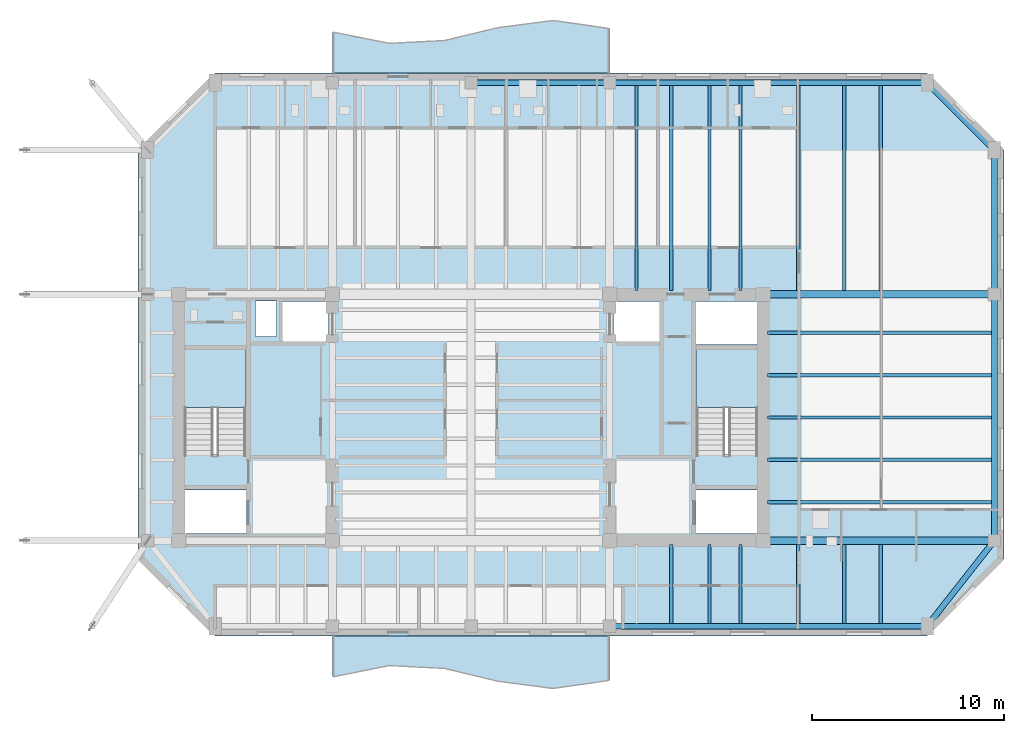
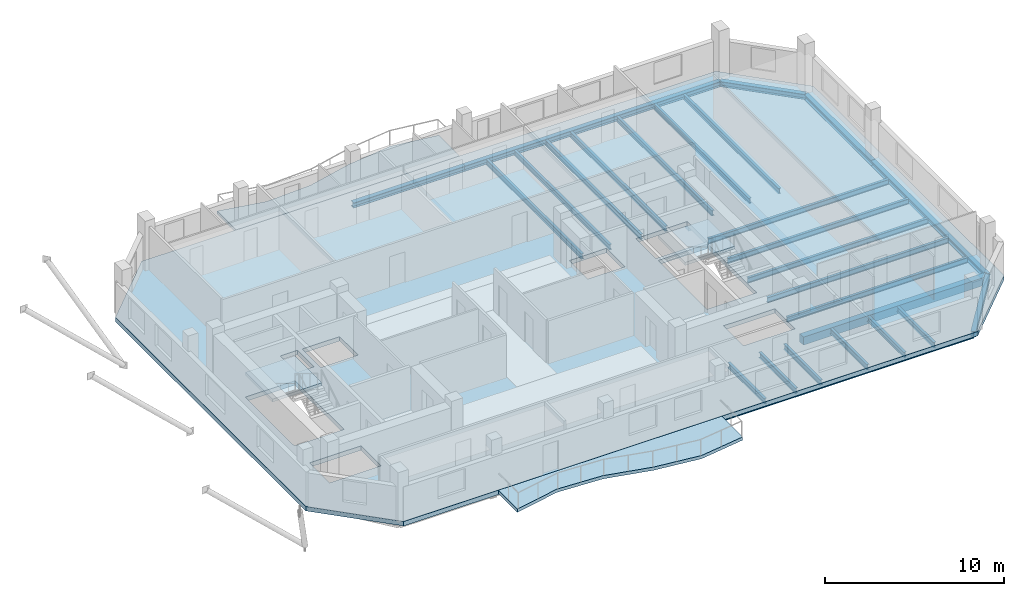
# One storey, part 2 of 10: 27 beams, 5 slabs, 2 elements without a shape of their own.
"""IFC4 building model written with IfcOpenShell, lengths in metres."""

from ifc_helpers import new_model, si_unit, direction, frame, origin, origin_2d, place, context, subcontext, project, spatial, polyline, rectangle, i_section, outline, extrude, material, layer, layer_set, material_profile, profile_set, type_object, element, aggregate, save


model = new_model("IFC4")

# Units and contexts
model_context = context("Model", 3, precision=1e-05, world=origin(), true_north=direction((0.0, 1.0)))
body_context = subcontext(model_context, "Body", "Model", "MODEL_VIEW")
ifc_project = project(units=[si_unit("LENGTHUNIT", "METRE"), si_unit("AREAUNIT", "SQUARE_METRE"), si_unit("VOLUMEUNIT", "CUBIC_METRE"), si_unit("PLANEANGLEUNIT", "RADIAN"), si_unit("MASSUNIT", "GRAM", prefix="KILO")], contexts=[model_context])

# Site, building, storey
site_placement = place(None, origin())
site = spatial("IfcSite", under=ifc_project, at=site_placement, CompositionType="ELEMENT")
building_placement = place(site_placement, origin())
building = spatial("IfcBuilding", under=site, at=building_placement, Name="Kranthara Brick Stack", CompositionType="ELEMENT")
storey_placement = place(building_placement, frame((0.0, 0.0, 265.300048828125)))
storey = spatial("IfcBuildingStorey", under=building, at=storey_placement, Name="L70", CompositionType="ELEMENT", Elevation=265.300048828125)

# Beams
ifc_material_1 = material(Name="Post-tensioned concrete C45/55", Category="concrete")
ifc_material_profile_1 = material_profile(ifc_material_1, rectangle(XDim=0.39990234375, YDim=0.550048828125, at=origin_2d()), Name="PT 400x550")
ifc_profile_set_1 = profile_set([ifc_material_profile_1], Name="Post-tensioned concrete C45/55")
beam_type_1 = type_object("IfcBeamType", Name="BM-FLR-PT550", PredefinedType="BEAM", material=ifc_profile_set_1)
for number, where, z_axis, x_axis, name in (
    (1, (43.199951171875, 20.800048828125, -0.574951171875), (1.0, 0.0, 0.0), (0.0, 1.0, 0.0), "L70 Primary Grid Girder 029"),
    (2, (43.199951171875, 33.60009765625, -0.574951171875), (1.0, 0.0, 0.0), (0.0, 1.0, 0.0), "L70 Primary Grid Girder 031"),
):
    element("IfcBeam", number, at=place(storey_placement, frame(where, z_axis=z_axis, x_axis=x_axis)), inside=storey, type_object=beam_type_1, Name=name, PredefinedType="BEAM", context=body_context, shape_type="SweptSolid", body=[
        extrude(rectangle(XDim=0.39990234375, YDim=0.550048828125, at=origin_2d()), origin(), (0.0, 0.0, 1.0), 12.0),
    ])
ifc_material_2 = material(Name="Steel S355", Category="steel")
ifc_material_profile_2 = material_profile(ifc_material_2, i_section(OverallWidth=0.169921875, OverallDepth=0.360107421875, WebThickness=0.008056640625, FlangeThickness=0.0126953125, at=origin_2d()), Name="IPE 360")
ifc_profile_set_2 = profile_set([ifc_material_profile_2], Name="Steel S355")
beam_type_2 = type_object("IfcBeamType", Name="BM-JST-IPE360", PredefinedType="JOIST", material=ifc_profile_set_2)
beam_1_placement = place(storey_placement, frame((36.60009765625, 33.800048828125, -0.47998046875), z_axis=(0.0, 1.0, 0.0), x_axis=(-1.0, 0.0, 0.0)))
element("IfcBeam", 3, at=beam_1_placement, inside=storey, type_object=beam_type_2, Name="L70 North Wing Floor Joist 069", PredefinedType="JOIST", context=body_context, shape_type="SweptSolid", body=[
    extrude(i_section(OverallWidth=0.169921875, OverallDepth=0.360107421875, WebThickness=0.008056640625, FlangeThickness=0.0126953125, at=origin_2d()), origin(), (0.0, 0.0, 1.0), 10.64990234375),
])
beam_2_placement = place(storey_placement, frame((38.39990234375, 16.5, -0.47998046875), z_axis=(0.0, 1.0, 0.0), x_axis=(-1.0, 0.0, 0.0)))
element("IfcBeam", 4, at=beam_2_placement, inside=storey, type_object=beam_type_2, Name="L70 South Wing Floor Joist 070", PredefinedType="JOIST", context=body_context, shape_type="SweptSolid", body=[
    extrude(i_section(OverallWidth=0.169921875, OverallDepth=0.360107421875, WebThickness=0.008056640625, FlangeThickness=0.0126953125, at=origin_2d()), origin(), (0.0, 0.0, 1.0), 4.10009765625),
])
beam_3_placement = place(storey_placement, frame((38.39990234375, 33.800048828125, -0.47998046875), z_axis=(0.0, 1.0, 0.0), x_axis=(-1.0, 0.0, 0.0)))
element("IfcBeam", 5, at=beam_3_placement, inside=storey, type_object=beam_type_2, Name="L70 North Wing Floor Joist 071", PredefinedType="JOIST", context=body_context, shape_type="SweptSolid", body=[
    extrude(i_section(OverallWidth=0.169921875, OverallDepth=0.360107421875, WebThickness=0.008056640625, FlangeThickness=0.0126953125, at=origin_2d()), origin(), (0.0, 0.0, 1.0), 10.64990234375),
])
beam_4_placement = place(storey_placement, frame((40.39990234375, 16.5, -0.47998046875), z_axis=(0.0, 1.0, 0.0), x_axis=(-1.0, 0.0, 0.0)))
element("IfcBeam", 6, at=beam_4_placement, inside=storey, type_object=beam_type_2, Name="L70 South Wing Floor Joist 072", PredefinedType="JOIST", context=body_context, shape_type="SweptSolid", body=[
    extrude(i_section(OverallWidth=0.169921875, OverallDepth=0.360107421875, WebThickness=0.008056640625, FlangeThickness=0.0126953125, at=origin_2d()), origin(), (0.0, 0.0, 1.0), 4.10009765625),
])
beam_5_placement = place(storey_placement, frame((40.39990234375, 33.800048828125, -0.47998046875), z_axis=(0.0, 1.0, 0.0), x_axis=(-1.0, 0.0, 0.0)))
element("IfcBeam", 7, at=beam_5_placement, inside=storey, type_object=beam_type_2, Name="L70 North Wing Floor Joist 073", PredefinedType="JOIST", context=body_context, shape_type="SweptSolid", body=[
    extrude(i_section(OverallWidth=0.169921875, OverallDepth=0.360107421875, WebThickness=0.008056640625, FlangeThickness=0.0126953125, at=origin_2d()), origin(), (0.0, 0.0, 1.0), 10.64990234375),
])
beam_6_placement = place(storey_placement, frame((42.0, 16.5, -0.47998046875), z_axis=(0.0, 1.0, 0.0), x_axis=(-1.0, 0.0, 0.0)))
element("IfcBeam", 8, at=beam_6_placement, inside=storey, type_object=beam_type_2, Name="L70 South Wing Floor Joist 074", PredefinedType="JOIST", context=body_context, shape_type="SweptSolid", body=[
    extrude(i_section(OverallWidth=0.169921875, OverallDepth=0.360107421875, WebThickness=0.008056640625, FlangeThickness=0.0126953125, at=origin_2d()), origin(), (0.0, 0.0, 1.0), 4.10009765625),
])
beam_7_placement = place(storey_placement, frame((42.0, 33.800048828125, -0.47998046875), z_axis=(0.0, 1.0, 0.0), x_axis=(-1.0, 0.0, 0.0)))
element("IfcBeam", 9, at=beam_7_placement, inside=storey, type_object=beam_type_2, Name="L70 North Wing Floor Joist 075", PredefinedType="JOIST", context=body_context, shape_type="SweptSolid", body=[
    extrude(i_section(OverallWidth=0.169921875, OverallDepth=0.360107421875, WebThickness=0.008056640625, FlangeThickness=0.0126953125, at=origin_2d()), origin(), (0.0, 0.0, 1.0), 10.64990234375),
])
beam_8_placement = place(storey_placement, frame((45.0, 16.5, -0.47998046875), z_axis=(0.0, 1.0, 0.0), x_axis=(-1.0, 0.0, 0.0)))
element("IfcBeam", 10, at=beam_8_placement, inside=storey, type_object=beam_type_2, Name="L70 South Wing Floor Joist 076", PredefinedType="JOIST", context=body_context, shape_type="SweptSolid", body=[
    extrude(i_section(OverallWidth=0.169921875, OverallDepth=0.360107421875, WebThickness=0.008056640625, FlangeThickness=0.0126953125, at=origin_2d()), origin(), (0.0, 0.0, 1.0), 4.10009765625),
])
beam_9_placement = place(storey_placement, frame((45.0, 33.800048828125, -0.47998046875), z_axis=(0.0, 1.0, 0.0), x_axis=(-1.0, 0.0, 0.0)))
element("IfcBeam", 11, at=beam_9_placement, inside=storey, type_object=beam_type_2, Name="L70 North Wing Floor Joist 077", PredefinedType="JOIST", context=body_context, shape_type="SweptSolid", body=[
    extrude(i_section(OverallWidth=0.169921875, OverallDepth=0.360107421875, WebThickness=0.008056640625, FlangeThickness=0.0126953125, at=origin_2d()), origin(), (0.0, 0.0, 1.0), 10.64990234375),
])
beam_10_placement = place(storey_placement, frame((47.39990234375, 16.5, -0.47998046875), z_axis=(0.0, 1.0, 0.0), x_axis=(-1.0, 0.0, 0.0)))
element("IfcBeam", 12, at=beam_10_placement, inside=storey, type_object=beam_type_2, Name="L70 South Wing Floor Joist 078", PredefinedType="JOIST", context=body_context, shape_type="SweptSolid", body=[
    extrude(i_section(OverallWidth=0.169921875, OverallDepth=0.360107421875, WebThickness=0.008056640625, FlangeThickness=0.0126953125, at=origin_2d()), origin(), (0.0, 0.0, 1.0), 4.10009765625),
])
beam_11_placement = place(storey_placement, frame((47.39990234375, 33.800048828125, -0.47998046875), z_axis=(0.0, 1.0, 0.0), x_axis=(-1.0, 0.0, 0.0)))
element("IfcBeam", 13, at=beam_11_placement, inside=storey, type_object=beam_type_2, Name="L70 North Wing Floor Joist 079", PredefinedType="JOIST", context=body_context, shape_type="SweptSolid", body=[
    extrude(i_section(OverallWidth=0.169921875, OverallDepth=0.360107421875, WebThickness=0.008056640625, FlangeThickness=0.0126953125, at=origin_2d()), origin(), (0.0, 0.0, 1.0), 10.64990234375),
])
beam_12_placement = place(storey_placement, frame((49.300048828125, 16.5, -0.47998046875), z_axis=(0.0, 1.0, 0.0), x_axis=(-1.0, 0.0, 0.0)))
element("IfcBeam", 14, at=beam_12_placement, inside=storey, type_object=beam_type_2, Name="L70 South Wing Floor Joist 080", PredefinedType="JOIST", context=body_context, shape_type="SweptSolid", body=[
    extrude(i_section(OverallWidth=0.169921875, OverallDepth=0.360107421875, WebThickness=0.008056640625, FlangeThickness=0.0126953125, at=origin_2d()), origin(), (0.0, 0.0, 1.0), 4.10009765625),
])
beam_13_placement = place(storey_placement, frame((49.300048828125, 33.800048828125, -0.47998046875), z_axis=(0.0, 1.0, 0.0), x_axis=(-1.0, 0.0, 0.0)))
element("IfcBeam", 15, at=beam_13_placement, inside=storey, type_object=beam_type_2, Name="L70 North Wing Floor Joist 081", PredefinedType="JOIST", context=body_context, shape_type="SweptSolid", body=[
    extrude(i_section(OverallWidth=0.169921875, OverallDepth=0.360107421875, WebThickness=0.008056640625, FlangeThickness=0.0126953125, at=origin_2d()), origin(), (0.0, 0.0, 1.0), 10.64990234375),
])
for number, where, z_axis, x_axis, name in (
    (16, (43.39990234375, 22.800048828125, -0.47998046875), (1.0, 0.0, 0.0), (0.0, 1.0, 0.0), "L70 East Wing Floor Joist 083"),
    (17, (43.39990234375, 25.0, -0.47998046875), (1.0, 0.0, 0.0), (0.0, 1.0, 0.0), "L70 East Wing Floor Joist 085"),
    (18, (43.39990234375, 27.199951171875, -0.47998046875), (1.0, 0.0, 0.0), (0.0, 1.0, 0.0), "L70 East Wing Floor Joist 087"),
    (19, (43.39990234375, 29.39990234375, -0.47998046875), (1.0, 0.0, 0.0), (0.0, 1.0, 0.0), "L70 East Wing Floor Joist 089"),
    (20, (43.39990234375, 31.60009765625, -0.47998046875), (1.0, 0.0, 0.0), (0.0, 1.0, 0.0), "L70 East Wing Floor Joist 091"),
):
    element("IfcBeam", number, at=place(storey_placement, frame(where, z_axis=z_axis, x_axis=x_axis)), inside=storey, type_object=beam_type_2, Name=name, PredefinedType="JOIST", context=body_context, shape_type="SweptSolid", body=[
        extrude(i_section(OverallWidth=0.169921875, OverallDepth=0.360107421875, WebThickness=0.008056640625, FlangeThickness=0.0126953125, at=origin_2d()), origin(), (0.0, 0.0, 1.0), 11.650146484375),
    ])
ifc_material_3 = material(Name="Steel S355", Category="steel")
ifc_material_profile_3 = material_profile(ifc_material_3, i_section(OverallWidth=0.300048828125, OverallDepth=0.360107421875, WebThickness=0.012451171875, FlangeThickness=0.0224609375, at=origin_2d()), Name="HEB 360")
ifc_profile_set_3 = profile_set([ifc_material_profile_3], Name="Steel S355")
beam_type_3 = type_object("IfcBeamType", Name="BM-STL-HEB360", PredefinedType="SPANDREL", material=ifc_profile_set_3)
beam_14_placement = place(storey_placement, frame((35.199951171875, 16.35009765625, -0.47998046875), z_axis=(1.0, 0.0, 0.0), x_axis=(0.0, 1.0, 0.0)))
element("IfcBeam", 21, at=beam_14_placement, inside=storey, type_object=beam_type_3, Name="L70 Perimeter Spandrel Beam 008", PredefinedType="SPANDREL", context=body_context, shape_type="SweptSolid", body=[
    extrude(i_section(OverallWidth=0.300048828125, OverallDepth=0.360107421875, WebThickness=0.012451171875, FlangeThickness=0.0224609375, at=origin_2d()), origin(), (0.0, 0.0, 1.0), 16.5),
])
beam_15_placement = place(storey_placement, frame((28.0, 44.60009765625, -0.47998046875), z_axis=(1.0, 0.0, 0.0), x_axis=(0.0, 1.0, 0.0)))
element("IfcBeam", 22, at=beam_15_placement, inside=storey, type_object=beam_type_3, Name="L70 Perimeter Spandrel Beam 011", PredefinedType="SPANDREL", context=body_context, shape_type="SweptSolid", body=[
    extrude(i_section(OverallWidth=0.300048828125, OverallDepth=0.360107421875, WebThickness=0.012451171875, FlangeThickness=0.0224609375, at=origin_2d()), origin(), (0.0, 0.0, 1.0), 7.199951171875),
])
beam_16_placement = place(storey_placement, frame((35.199951171875, 44.60009765625, -0.47998046875), z_axis=(1.0, 0.0, 0.0), x_axis=(0.0, 1.0, 0.0)))
element("IfcBeam", 23, at=beam_16_placement, inside=storey, type_object=beam_type_3, Name="L70 Perimeter Spandrel Beam 012", PredefinedType="SPANDREL", context=body_context, shape_type="SweptSolid", body=[
    extrude(i_section(OverallWidth=0.300048828125, OverallDepth=0.360107421875, WebThickness=0.012451171875, FlangeThickness=0.0224609375, at=origin_2d()), origin(), (0.0, 0.0, 1.0), 16.5),
])
beam_17_placement = place(storey_placement, frame((55.199951171875, 20.800048828125, -0.47998046875), z_axis=(0.0, 1.0, 0.0), x_axis=(-1.0, 0.0, 0.0)))
element("IfcBeam", 24, at=beam_17_placement, inside=storey, type_object=beam_type_3, Name="L70 Perimeter Spandrel Beam 015", PredefinedType="SPANDREL", context=body_context, shape_type="SweptSolid", body=[
    extrude(i_section(OverallWidth=0.300048828125, OverallDepth=0.360107421875, WebThickness=0.012451171875, FlangeThickness=0.0224609375, at=origin_2d()), origin(), (0.0, 0.0, 1.0), 12.800048828125),
])
beam_18_placement = place(storey_placement, frame((55.199951171875, 33.60009765625, -0.47998046875), z_axis=(0.0, 1.0, 0.0), x_axis=(-1.0, 0.0, 0.0)))
element("IfcBeam", 25, at=beam_18_placement, inside=storey, type_object=beam_type_3, Name="L70 Perimeter Spandrel Beam 016", PredefinedType="SPANDREL", context=body_context, shape_type="SweptSolid", body=[
    extrude(i_section(OverallWidth=0.300048828125, OverallDepth=0.360107421875, WebThickness=0.012451171875, FlangeThickness=0.0224609375, at=origin_2d()), origin(), (0.0, 0.0, 1.0), 7.5),
])
beam_19_placement = place(storey_placement, frame((51.699951171875, 16.35009765625, -0.47998046875), z_axis=(0.618215705636, 0.78600848679, 0.0), x_axis=(-0.78600848679, 0.618215705636, 0.0)))
element("IfcBeam", 26, at=beam_19_placement, inside=storey, type_object=beam_type_3, Name="L70 Chamfer Corner Spandrel 018", PredefinedType="SPANDREL", context=body_context, shape_type="SweptSolid", body=[
    extrude(i_section(OverallWidth=0.300048828125, OverallDepth=0.360107421875, WebThickness=0.012451171875, FlangeThickness=0.0224609375, at=origin_2d()), origin(), (0.0, 0.0, 1.0), 5.661376953125),
])
beam_20_placement = place(storey_placement, frame((51.699951171875, 44.60009765625, -0.47998046875), z_axis=(0.707106781187, -0.707106781187, 0.0), x_axis=(0.707106781187, 0.707106781187, 0.0)))
element("IfcBeam", 27, at=beam_20_placement, inside=storey, type_object=beam_type_3, Name="L70 Chamfer Corner Spandrel 020", PredefinedType="SPANDREL", context=body_context, shape_type="SweptSolid", body=[
    extrude(i_section(OverallWidth=0.300048828125, OverallDepth=0.360107421875, WebThickness=0.012451171875, FlangeThickness=0.0224609375, at=origin_2d()), origin(), (0.0, 0.0, 1.0), 4.94970703125),
])

# Slabs
ifc_material_4 = material(Name="Concrete C45/55", Category="concrete")
ifc_layer_1 = layer(ifc_material_4, 0.219970703125)
ifc_layer_set_1 = layer_set([ifc_layer_1], Name="Concrete C45/55")
slab_type_1 = type_object("IfcSlabType", Name="SLB-BALC-220", PredefinedType="FLOOR", material=ifc_layer_set_1)
slab_1_placement = place(storey_placement, frame((0.0, 0.0, -0.219970703125)))
element("IfcSlab", 28, at=slab_1_placement, inside=storey, type_object=slab_type_1, Name="L70 South Rippling Balcony Slab", PredefinedType="FLOOR", context=body_context, shape_type="SweptSolid", body=[
    extrude(outline(polyline([(20.800048828125, 15.85009765625), (35.199951171875, 15.85009765625), (35.199951171875, 13.52197265625), (32.320068359375, 13.100830078125), (29.43994140625, 13.464599609375), (26.56005859375, 14.15576171875), (23.679931640625, 14.305419921875), (20.800048828125, 13.72509765625), (20.800048828125, 15.85009765625)])), origin(), (0.0, 0.0, 1.0), 0.219970703125),
])
slab_2_placement = place(storey_placement, frame((0.0, 0.0, -0.219970703125)))
element("IfcSlab", 29, at=slab_2_placement, inside=storey, type_object=slab_type_1, Name="L70 North Rippling Balcony Slab", PredefinedType="FLOOR", context=body_context, shape_type="SweptSolid", body=[
    extrude(outline(polyline([(35.199951171875, 45.10009765625), (20.800048828125, 45.10009765625), (20.800048828125, 47.22509765625), (23.679931640625, 46.644775390625), (26.56005859375, 46.794189453125), (29.43994140625, 47.485595703125), (32.320068359375, 47.84912109375), (35.199951171875, 47.427978515625), (35.199951171875, 45.10009765625)])), origin(), (0.0, 0.0, 1.0), 0.219970703125),
])

# Stair, slab
ifc_material_5 = material(Name="Concrete C45/55", Category="concrete")
stair_type = type_object("IfcStairType", Name="ST-CORE-20R", PredefinedType="HALF_TURN_STAIR", material=ifc_material_5)
stair_1_placement = place(storey_placement, origin())
stair_1 = element("IfcStair", 30, at=stair_1_placement, inside=storey, type_object=stair_type, Name="L70 West Core Protected Exit Stair ST01", PredefinedType="HALF_TURN_STAIR")
ifc_material_6 = material(Name="Concrete C45/55", Category="concrete")
ifc_layer_2 = layer(ifc_material_6, 0.199951171875)
ifc_layer_set_2 = layer_set([ifc_layer_2], Name="Concrete C45/55")
slab_type_2 = type_object("IfcSlabType", Name="SLB-LANDING-200", PredefinedType="LANDING", material=ifc_layer_set_2)
slab_3_placement = place(storey_placement, frame((0.0, 0.0, 1.5)))
slab_3 = element("IfcSlab", 31, at=slab_3_placement, type_object=slab_type_2, Name="ST01 landing 1", PredefinedType="LANDING", context=body_context, shape_type="SweptSolid", body=[
    extrude(outline(polyline([(16.300048828125, 27.719970703125), (16.300048828125, 30.75), (13.10009765625, 30.75), (13.10009765625, 27.719970703125), (16.300048828125, 27.719970703125)])), origin(), (0.0, 0.0, 1.0), 0.199951171875),
])
aggregate(stair_1, [slab_3])

stair_2_placement = place(storey_placement, origin())
stair_2 = element("IfcStair", 32, at=stair_2_placement, inside=storey, type_object=stair_type, Name="L70 East Core Protected Exit Stair ST02", PredefinedType="HALF_TURN_STAIR")
slab_4_placement = place(storey_placement, frame((0.0, 0.0, 1.5)))
slab_4 = element("IfcSlab", 33, at=slab_4_placement, type_object=slab_type_2, Name="ST02 landing 1", PredefinedType="LANDING", context=body_context, shape_type="SweptSolid", body=[
    extrude(outline(polyline([(42.89990234375, 27.719970703125), (42.89990234375, 30.75), (39.699951171875, 30.75), (39.699951171875, 27.719970703125), (42.89990234375, 27.719970703125)])), origin(), (0.0, 0.0, 1.0), 0.199951171875),
])
aggregate(stair_2, [slab_4])

# Slab
ifc_material_7 = material(Name="Post-tensioned concrete C45/55", Category="concrete")
ifc_layer_3 = layer(ifc_material_7, 0.300048828125)
ifc_layer_set_3 = layer_set([ifc_layer_3], Name="Post-tensioned concrete C45/55")
slab_type_3 = type_object("IfcSlabType", Name="SLB-TWR-300", PredefinedType="FLOOR", material=ifc_layer_set_3)
slab_5_placement = place(storey_placement, frame((0.0, 0.0, -0.300048828125)))
element("IfcSlab", 34, at=slab_5_placement, inside=storey, type_object=slab_type_3, Name="L70 Structural Floor Plate", PredefinedType="FLOOR", context=body_context, shape_type="SweptSolid", body=[
    extrude(outline(polyline([(14.699951171875, 15.85009765625), (51.699951171875, 15.85009765625), (55.699951171875, 19.85009765625), (55.699951171875, 41.10009765625), (51.699951171875, 45.10009765625), (14.699951171875, 45.10009765625), (10.699951171875, 41.10009765625), (10.699951171875, 19.85009765625), (14.699951171875, 15.85009765625)]), holes=[polyline([(13.10009765625, 25.280029296875), (16.300048828125, 25.280029296875), (16.300048828125, 30.75), (13.10009765625, 30.75), (13.10009765625, 25.280029296875)]), polyline([(39.699951171875, 25.280029296875), (42.89990234375, 25.280029296875), (42.89990234375, 30.75), (39.699951171875, 30.75), (39.699951171875, 25.280029296875)]), polyline([(13.0, 21.179931640625), (16.320068359375, 21.179931640625), (16.320068359375, 23.419921875), (13.0, 23.419921875), (13.0, 21.179931640625)]), polyline([(39.679931640625, 21.179931640625), (43.0, 21.179931640625), (43.0, 23.419921875), (39.679931640625, 23.419921875), (39.679931640625, 21.179931640625)]), polyline([(39.679931640625, 30.97998046875), (43.0, 30.97998046875), (43.0, 33.219970703125), (39.679931640625, 33.219970703125), (39.679931640625, 30.97998046875)]), polyline([(18.199951171875, 31.14990234375), (20.60009765625, 31.14990234375), (20.60009765625, 33.219970703125), (18.199951171875, 33.219970703125), (18.199951171875, 31.14990234375)]), polyline([(35.39990234375, 31.14990234375), (37.800048828125, 31.14990234375), (37.800048828125, 33.219970703125), (35.39990234375, 33.219970703125), (35.39990234375, 31.14990234375)]), polyline([(16.800048828125, 31.39990234375), (17.89990234375, 31.39990234375), (17.89990234375, 33.25), (16.800048828125, 33.25), (16.800048828125, 31.39990234375)])]), origin(), (0.0, 0.0, 1.0), 0.300048828125),
])

save(model, "model.ifc")
